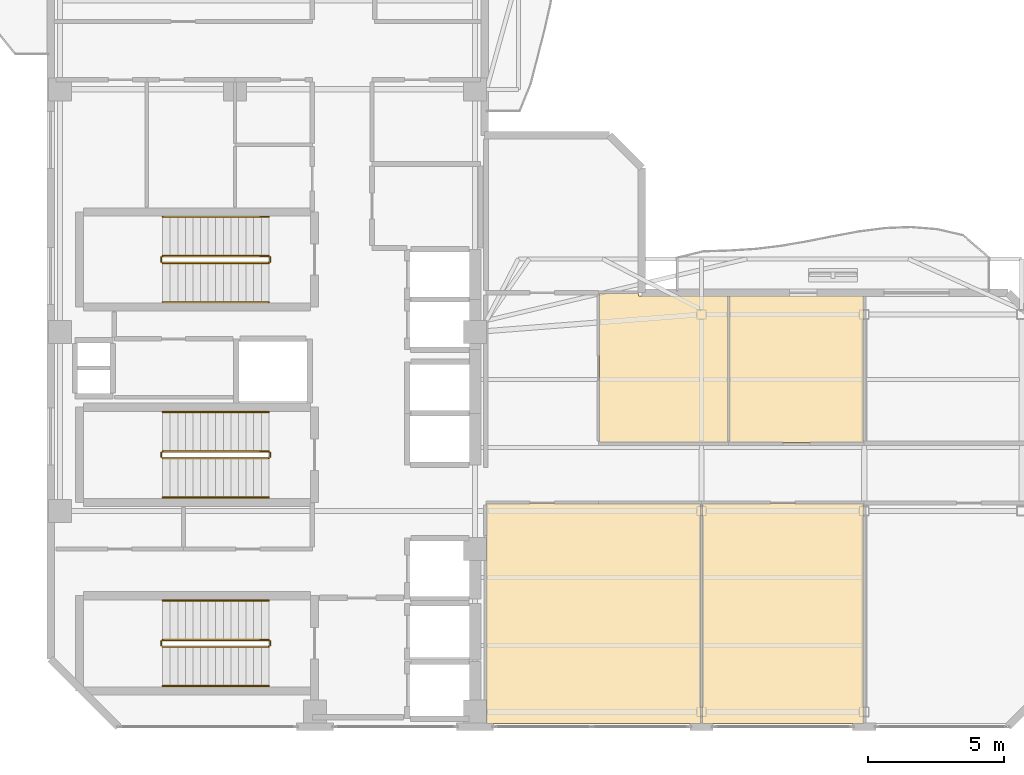
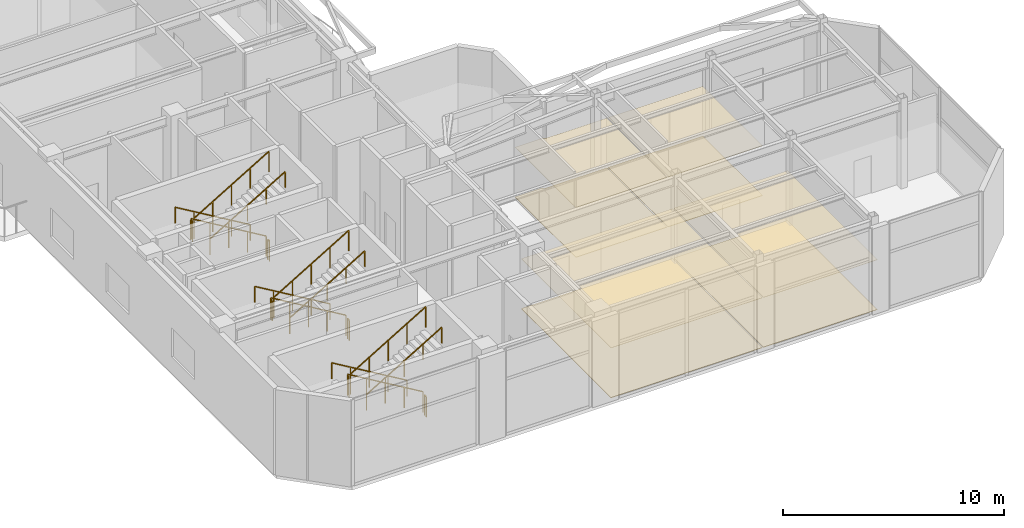
# One storey, part 14 of 15: 18 railings, 8 coverings.
"""IFC4 building model written with IfcOpenShell, lengths in metres."""

from ifc_helpers import new_model, si_unit, direction, frame, origin, origin_2d, place, context, subcontext, project, spatial, polyline, rectangle, outline, extrude, material, layer, layer_set, type_object, element, save


model = new_model("IFC4")

# Units and contexts
model_context = context("Model", 3, precision=1e-05, world=origin(), true_north=direction((0.0, 1.0)))
body_context = subcontext(model_context, "Body", "Model", "MODEL_VIEW")
ifc_project = project(units=[si_unit("LENGTHUNIT", "METRE"), si_unit("AREAUNIT", "SQUARE_METRE"), si_unit("VOLUMEUNIT", "CUBIC_METRE"), si_unit("PLANEANGLEUNIT", "RADIAN"), si_unit("MASSUNIT", "GRAM", prefix="KILO")], contexts=[model_context])

# Site, building, storey
site_placement = place(None, origin())
site = spatial("IfcSite", under=ifc_project, at=site_placement, CompositionType="ELEMENT")
building_placement = place(site_placement, origin())
building = spatial("IfcBuilding", under=site, at=building_placement, Name="Mawjaban Terraces University", CompositionType="ELEMENT")
storey_placement = place(building_placement, frame((0.0, 0.0, 306.699951171875)))
storey = spatial("IfcBuildingStorey", under=building, at=storey_placement, Name="L75", CompositionType="ELEMENT", Elevation=306.699951171875)

# Coverings
ifc_material_1 = material(Name="Acoustic mineral fibre ceiling tile", Category="masonry")
ifc_layer_1 = layer(ifc_material_1, 0.02001953125)
ifc_layer_set_1 = layer_set([ifc_layer_1], Name="Acoustic mineral fibre ceiling tile")
covering_type_1 = type_object("IfcCoveringType", Name="AcousticMineralCeiling_20", PredefinedType="CEILING", material=ifc_layer_set_1)
covering_1_placement = place(storey_placement, frame((0.0, 0.0, 2.75)))
element("IfcCovering", 1, at=covering_1_placement, inside=storey, type_object=covering_type_1, Name="L75 Public Observation Gallery South-West Acoustic Ceiling", PredefinedType="CEILING", context=body_context, shape_type="SweptSolid", body=[
    extrude(outline(polyline([(45.969970703125, 0.114990234375), (45.969970703125, 8.219970703125), (38.080078125, 8.219970703125), (38.080078125, 0.114990234375), (45.969970703125, 0.114990234375)])), origin(), (0.0, 0.0, 1.0), 0.02001953125),
])
covering_2_placement = place(storey_placement, frame((0.0, 0.0, 2.75)))
element("IfcCovering", 2, at=covering_2_placement, inside=storey, type_object=covering_type_1, Name="L75 Public Observation Gallery South-Mid Acoustic Ceiling", PredefinedType="CEILING", context=body_context, shape_type="SweptSolid", body=[
    extrude(outline(polyline([(46.030029296875, 0.114990234375), (51.969970703125, 0.114990234375), (51.969970703125, 8.219970703125), (46.030029296875, 8.219970703125), (46.030029296875, 0.114990234375)])), origin(), (0.0, 0.0, 1.0), 0.02001953125),
])
covering_3_placement = place(storey_placement, frame((0.0, 0.0, 2.75)))
element("IfcCovering", 3, at=covering_3_placement, inside=storey, type_object=covering_type_1, Name="L75 Sky Observatory Lecture Salon 1 Acoustic Ceiling", PredefinedType="CEILING", context=body_context, shape_type="SweptSolid", body=[
    extrude(outline(polyline([(46.969970703125, 15.885009765625), (43.68505859375, 15.885009765625), (43.68505859375, 15.969970703125), (42.22998046875, 15.969970703125), (42.22998046875, 10.47998046875), (46.969970703125, 10.47998046875), (46.969970703125, 15.885009765625)])), origin(), (0.0, 0.0, 1.0), 0.02001953125),
])
covering_4_placement = place(storey_placement, frame((0.0, 0.0, 2.75)))
element("IfcCovering", 4, at=covering_4_placement, inside=storey, type_object=covering_type_1, Name="L75 Sky Observatory Lecture Salon 2 Acoustic Ceiling", PredefinedType="CEILING", context=body_context, shape_type="SweptSolid", body=[
    extrude(outline(polyline([(51.969970703125, 15.885009765625), (47.030029296875, 15.885009765625), (47.030029296875, 10.47998046875), (51.969970703125, 10.47998046875), (51.969970703125, 15.885009765625)])), origin(), (0.0, 0.0, 1.0), 0.02001953125),
])

# Railings
ifc_material_2 = material(Name="Brushed stainless steel 316", Category="steel")
railing_type_1 = type_object("IfcRailingType", Name="StairWallHandrail_900", PredefinedType="HANDRAIL", material=ifc_material_2)
railing_1_placement = place(storey_placement, frame((30.050048828125, 4.64990234375, 0.166748046875)))
element("IfcRailing", 5, at=railing_1_placement, inside=storey, type_object=railing_type_1, Name="L75 ST-1 stair handrail 1", PredefinedType="HANDRAIL", context=body_context, shape_type="SweptSolid", body=[
    extrude(rectangle(XDim=0.048095703125, YDim=0.048095703125, at=origin_2d()), frame((0.0, 0.0, 0.8759765625), z_axis=(-0.859310244771, 0.0, 0.511454693235), x_axis=(0.0, -1.0, 0.0)), (0.0, 0.0, 1.0), 4.56201171875),
    extrude(rectangle(XDim=0.0419921875, YDim=0.0419921875, at=origin_2d()), origin(), (0.0, 0.0, 1.0), 0.851806640625),
    extrude(rectangle(XDim=0.0419921875, YDim=0.0419921875, at=origin_2d()), frame((-0.97998046875, 0.0, 0.583251953125)), (0.0, 0.0, 1.0), 0.851806640625),
    extrude(rectangle(XDim=0.0419921875, YDim=0.0419921875, at=origin_2d()), frame((-1.9599609375, 0.0, 1.16650390625)), (0.0, 0.0, 1.0), 0.851806640625),
    extrude(rectangle(XDim=0.0419921875, YDim=0.0419921875, at=origin_2d()), frame((-2.940185546875, 0.0, 1.75)), (0.0, 0.0, 1.0), 0.851806640625),
    extrude(rectangle(XDim=0.0419921875, YDim=0.0419921875, at=origin_2d()), frame((-3.920166015625, 0.0, 2.333251953125)), (0.0, 0.0, 1.0), 0.851806640625),
])
railing_2_placement = place(storey_placement, frame((26.1298828125, 1.5, 2.666748046875)))
element("IfcRailing", 6, at=railing_2_placement, inside=storey, type_object=railing_type_1, Name="L75 ST-1 stair handrail 2", PredefinedType="HANDRAIL", context=body_context, shape_type="SweptSolid", body=[
    extrude(rectangle(XDim=0.048095703125, YDim=0.048095703125, at=origin_2d()), frame((0.0, 0.0, 0.8759765625), z_axis=(0.859310244771, 0.0, 0.511454693235), x_axis=(0.0, 1.0, 0.0)), (0.0, 0.0, 1.0), 4.56201171875),
    extrude(rectangle(XDim=0.0419921875, YDim=0.0419921875, at=origin_2d()), origin(), (0.0, 0.0, 1.0), 0.851806640625),
    extrude(rectangle(XDim=0.0419921875, YDim=0.0419921875, at=origin_2d()), frame((0.97998046875, 0.0, 0.583251953125)), (0.0, 0.0, 1.0), 0.851806640625),
    extrude(rectangle(XDim=0.0419921875, YDim=0.0419921875, at=origin_2d()), frame((1.9599609375, 0.0, 1.16650390625)), (0.0, 0.0, 1.0), 0.851806640625),
    extrude(rectangle(XDim=0.0419921875, YDim=0.0419921875, at=origin_2d()), frame((2.940185546875, 0.0, 1.75)), (0.0, 0.0, 1.0), 0.851806640625),
    extrude(rectangle(XDim=0.0419921875, YDim=0.0419921875, at=origin_2d()), frame((3.920166015625, 0.0, 2.333251953125)), (0.0, 0.0, 1.0), 0.851806640625),
])
railing_3_placement = place(storey_placement, frame((30.050048828125, 18.800048828125, 0.166748046875)))
element("IfcRailing", 7, at=railing_3_placement, inside=storey, type_object=railing_type_1, Name="L75 ST-2 stair handrail 1", PredefinedType="HANDRAIL", context=body_context, shape_type="SweptSolid", body=[
    extrude(rectangle(XDim=0.048095703125, YDim=0.048095703125, at=origin_2d()), frame((0.0, 0.0, 0.8759765625), z_axis=(-0.859310244771, 0.0, 0.511454693235), x_axis=(0.0, -1.0, 0.0)), (0.0, 0.0, 1.0), 4.56201171875),
    extrude(rectangle(XDim=0.0419921875, YDim=0.0419921875, at=origin_2d()), origin(), (0.0, 0.0, 1.0), 0.851806640625),
    extrude(rectangle(XDim=0.0419921875, YDim=0.0419921875, at=origin_2d()), frame((-0.97998046875, 0.0, 0.583251953125)), (0.0, 0.0, 1.0), 0.851806640625),
    extrude(rectangle(XDim=0.0419921875, YDim=0.0419921875, at=origin_2d()), frame((-1.9599609375, 0.0, 1.16650390625)), (0.0, 0.0, 1.0), 0.851806640625),
    extrude(rectangle(XDim=0.0419921875, YDim=0.0419921875, at=origin_2d()), frame((-2.940185546875, 0.0, 1.75)), (0.0, 0.0, 1.0), 0.851806640625),
    extrude(rectangle(XDim=0.0419921875, YDim=0.0419921875, at=origin_2d()), frame((-3.920166015625, 0.0, 2.333251953125)), (0.0, 0.0, 1.0), 0.851806640625),
])
railing_4_placement = place(storey_placement, frame((26.1298828125, 15.64990234375, 2.666748046875)))
element("IfcRailing", 8, at=railing_4_placement, inside=storey, type_object=railing_type_1, Name="L75 ST-2 stair handrail 2", PredefinedType="HANDRAIL", context=body_context, shape_type="SweptSolid", body=[
    extrude(rectangle(XDim=0.048095703125, YDim=0.048095703125, at=origin_2d()), frame((0.0, 0.0, 0.8759765625), z_axis=(0.859310244771, 0.0, 0.511454693235), x_axis=(0.0, 1.0, 0.0)), (0.0, 0.0, 1.0), 4.56201171875),
    extrude(rectangle(XDim=0.0419921875, YDim=0.0419921875, at=origin_2d()), origin(), (0.0, 0.0, 1.0), 0.851806640625),
    extrude(rectangle(XDim=0.0419921875, YDim=0.0419921875, at=origin_2d()), frame((0.97998046875, 0.0, 0.583251953125)), (0.0, 0.0, 1.0), 0.851806640625),
    extrude(rectangle(XDim=0.0419921875, YDim=0.0419921875, at=origin_2d()), frame((1.9599609375, 0.0, 1.16650390625)), (0.0, 0.0, 1.0), 0.851806640625),
    extrude(rectangle(XDim=0.0419921875, YDim=0.0419921875, at=origin_2d()), frame((2.940185546875, 0.0, 1.75)), (0.0, 0.0, 1.0), 0.851806640625),
    extrude(rectangle(XDim=0.0419921875, YDim=0.0419921875, at=origin_2d()), frame((3.920166015625, 0.0, 2.333251953125)), (0.0, 0.0, 1.0), 0.851806640625),
])
railing_5_placement = place(storey_placement, frame((30.050048828125, 11.60009765625, 0.166748046875)))
element("IfcRailing", 9, at=railing_5_placement, inside=storey, type_object=railing_type_1, Name="L75 ST-3 stair handrail 1", PredefinedType="HANDRAIL", context=body_context, shape_type="SweptSolid", body=[
    extrude(rectangle(XDim=0.048095703125, YDim=0.048095703125, at=origin_2d()), frame((0.0, 0.0, 0.8759765625), z_axis=(-0.859310244771, 0.0, 0.511454693235), x_axis=(0.0, -1.0, 0.0)), (0.0, 0.0, 1.0), 4.56201171875),
    extrude(rectangle(XDim=0.0419921875, YDim=0.0419921875, at=origin_2d()), origin(), (0.0, 0.0, 1.0), 0.851806640625),
    extrude(rectangle(XDim=0.0419921875, YDim=0.0419921875, at=origin_2d()), frame((-0.97998046875, 0.0, 0.583251953125)), (0.0, 0.0, 1.0), 0.851806640625),
    extrude(rectangle(XDim=0.0419921875, YDim=0.0419921875, at=origin_2d()), frame((-1.9599609375, 0.0, 1.16650390625)), (0.0, 0.0, 1.0), 0.851806640625),
    extrude(rectangle(XDim=0.0419921875, YDim=0.0419921875, at=origin_2d()), frame((-2.940185546875, 0.0, 1.75)), (0.0, 0.0, 1.0), 0.851806640625),
    extrude(rectangle(XDim=0.0419921875, YDim=0.0419921875, at=origin_2d()), frame((-3.920166015625, 0.0, 2.333251953125)), (0.0, 0.0, 1.0), 0.851806640625),
])
railing_6_placement = place(storey_placement, frame((26.1298828125, 8.449951171875, 2.666748046875)))
element("IfcRailing", 10, at=railing_6_placement, inside=storey, type_object=railing_type_1, Name="L75 ST-3 stair handrail 2", PredefinedType="HANDRAIL", context=body_context, shape_type="SweptSolid", body=[
    extrude(rectangle(XDim=0.048095703125, YDim=0.048095703125, at=origin_2d()), frame((0.0, 0.0, 0.8759765625), z_axis=(0.859310244771, 0.0, 0.511454693235), x_axis=(0.0, 1.0, 0.0)), (0.0, 0.0, 1.0), 4.56201171875),
    extrude(rectangle(XDim=0.0419921875, YDim=0.0419921875, at=origin_2d()), origin(), (0.0, 0.0, 1.0), 0.851806640625),
    extrude(rectangle(XDim=0.0419921875, YDim=0.0419921875, at=origin_2d()), frame((0.97998046875, 0.0, 0.583251953125)), (0.0, 0.0, 1.0), 0.851806640625),
    extrude(rectangle(XDim=0.0419921875, YDim=0.0419921875, at=origin_2d()), frame((1.9599609375, 0.0, 1.16650390625)), (0.0, 0.0, 1.0), 0.851806640625),
    extrude(rectangle(XDim=0.0419921875, YDim=0.0419921875, at=origin_2d()), frame((2.940185546875, 0.0, 1.75)), (0.0, 0.0, 1.0), 0.851806640625),
    extrude(rectangle(XDim=0.0419921875, YDim=0.0419921875, at=origin_2d()), frame((3.920166015625, 0.0, 2.333251953125)), (0.0, 0.0, 1.0), 0.851806640625),
])
ifc_material_3 = material(Name="Galvanised painted steel S355", Category="steel")
railing_type_2 = type_object("IfcRailingType", Name="StairWellGuard_1150", PredefinedType="BALUSTRADE", material=ifc_material_3)
railing_7_placement = place(storey_placement, frame((30.050048828125, 3.199951171875, 0.166748046875)))
element("IfcRailing", 11, at=railing_7_placement, inside=storey, type_object=railing_type_2, Name="L75 ST-1 stair guard 1", PredefinedType="BALUSTRADE", context=body_context, shape_type="SweptSolid", body=[
    extrude(rectangle(XDim=0.048095703125, YDim=0.048095703125, at=origin_2d()), frame((0.0, 0.0, 1.1259765625), z_axis=(-0.859310244771, 0.0, 0.511454693235), x_axis=(0.0, -1.0, 0.0)), (0.0, 0.0, 1.0), 4.56201171875),
    extrude(rectangle(XDim=0.0419921875, YDim=0.0419921875, at=origin_2d()), origin(), (0.0, 0.0, 1.0), 1.101806640625),
    extrude(rectangle(XDim=0.0419921875, YDim=0.0419921875, at=origin_2d()), frame((-0.97998046875, 0.0, 0.583251953125)), (0.0, 0.0, 1.0), 1.101806640625),
    extrude(rectangle(XDim=0.0419921875, YDim=0.0419921875, at=origin_2d()), frame((-1.9599609375, 0.0, 1.16650390625)), (0.0, 0.0, 1.0), 1.101806640625),
    extrude(rectangle(XDim=0.0419921875, YDim=0.0419921875, at=origin_2d()), frame((-2.940185546875, 0.0, 1.75)), (0.0, 0.0, 1.0), 1.101806640625),
    extrude(rectangle(XDim=0.0419921875, YDim=0.0419921875, at=origin_2d()), frame((-3.920166015625, 0.0, 2.333251953125)), (0.0, 0.0, 1.0), 1.101806640625),
])
railing_8_placement = place(storey_placement, frame((26.080078125, 3.14990234375, 2.5)))
element("IfcRailing", 12, at=railing_8_placement, inside=storey, type_object=railing_type_2, Name="L75 ST-1 stair guard 2", PredefinedType="BALUSTRADE", context=body_context, shape_type="SweptSolid", body=[
    extrude(rectangle(XDim=0.048095703125, YDim=0.048095703125, at=origin_2d()), frame((0.0, 0.0, 1.1259765625), z_axis=(0.0, -1.0, 0.0), x_axis=(1.0, 0.0, 0.0)), (0.0, 0.0, 1.0), 0.14990234375),
    extrude(rectangle(XDim=0.0419921875, YDim=0.0419921875, at=origin_2d()), origin(), (0.0, 0.0, 1.0), 1.101806640625),
    extrude(rectangle(XDim=0.0419921875, YDim=0.0419921875, at=origin_2d()), frame((0.0, -0.14990234375, 0.0)), (0.0, 0.0, 1.0), 1.101806640625),
])
railing_9_placement = place(storey_placement, frame((26.1298828125, 2.949951171875, 2.666748046875)))
element("IfcRailing", 13, at=railing_9_placement, inside=storey, type_object=railing_type_2, Name="L75 ST-1 stair guard 3", PredefinedType="BALUSTRADE", context=body_context, shape_type="SweptSolid", body=[
    extrude(rectangle(XDim=0.048095703125, YDim=0.048095703125, at=origin_2d()), frame((0.0, 0.0, 1.1259765625), z_axis=(0.859310244771, 0.0, 0.511454693235), x_axis=(0.0, 1.0, 0.0)), (0.0, 0.0, 1.0), 4.56201171875),
    extrude(rectangle(XDim=0.0419921875, YDim=0.0419921875, at=origin_2d()), origin(), (0.0, 0.0, 1.0), 1.101806640625),
    extrude(rectangle(XDim=0.0419921875, YDim=0.0419921875, at=origin_2d()), frame((0.97998046875, 0.0, 0.583251953125)), (0.0, 0.0, 1.0), 1.101806640625),
    extrude(rectangle(XDim=0.0419921875, YDim=0.0419921875, at=origin_2d()), frame((1.9599609375, 0.0, 1.16650390625)), (0.0, 0.0, 1.0), 1.101806640625),
    extrude(rectangle(XDim=0.0419921875, YDim=0.0419921875, at=origin_2d()), frame((2.940185546875, 0.0, 1.75)), (0.0, 0.0, 1.0), 1.101806640625),
    extrude(rectangle(XDim=0.0419921875, YDim=0.0419921875, at=origin_2d()), frame((3.920166015625, 0.0, 2.333251953125)), (0.0, 0.0, 1.0), 1.101806640625),
])
railing_10_placement = place(storey_placement, frame((30.10009765625, 3.14990234375, 0.0)))
element("IfcRailing", 14, at=railing_10_placement, inside=storey, type_object=railing_type_2, Name="L75 ST-1 stair guard 4", PredefinedType="BALUSTRADE", context=body_context, shape_type="SweptSolid", body=[
    extrude(rectangle(XDim=0.048095703125, YDim=0.048095703125, at=origin_2d()), frame((0.0, 0.0, 1.1259765625), z_axis=(0.0, -1.0, 0.0), x_axis=(1.0, 0.0, 0.0)), (0.0, 0.0, 1.0), 0.14990234375),
    extrude(rectangle(XDim=0.0419921875, YDim=0.0419921875, at=origin_2d()), origin(), (0.0, 0.0, 1.0), 1.101806640625),
    extrude(rectangle(XDim=0.0419921875, YDim=0.0419921875, at=origin_2d()), frame((0.0, -0.14990234375, 0.0)), (0.0, 0.0, 1.0), 1.101806640625),
])
railing_11_placement = place(storey_placement, frame((30.050048828125, 17.35009765625, 0.166748046875)))
element("IfcRailing", 15, at=railing_11_placement, inside=storey, type_object=railing_type_2, Name="L75 ST-2 stair guard 1", PredefinedType="BALUSTRADE", context=body_context, shape_type="SweptSolid", body=[
    extrude(rectangle(XDim=0.048095703125, YDim=0.048095703125, at=origin_2d()), frame((0.0, 0.0, 1.1259765625), z_axis=(-0.859310244771, 0.0, 0.511454693235), x_axis=(0.0, -1.0, 0.0)), (0.0, 0.0, 1.0), 4.56201171875),
    extrude(rectangle(XDim=0.0419921875, YDim=0.0419921875, at=origin_2d()), origin(), (0.0, 0.0, 1.0), 1.101806640625),
    extrude(rectangle(XDim=0.0419921875, YDim=0.0419921875, at=origin_2d()), frame((-0.97998046875, 0.0, 0.583251953125)), (0.0, 0.0, 1.0), 1.101806640625),
    extrude(rectangle(XDim=0.0419921875, YDim=0.0419921875, at=origin_2d()), frame((-1.9599609375, 0.0, 1.16650390625)), (0.0, 0.0, 1.0), 1.101806640625),
    extrude(rectangle(XDim=0.0419921875, YDim=0.0419921875, at=origin_2d()), frame((-2.940185546875, 0.0, 1.75)), (0.0, 0.0, 1.0), 1.101806640625),
    extrude(rectangle(XDim=0.0419921875, YDim=0.0419921875, at=origin_2d()), frame((-3.920166015625, 0.0, 2.333251953125)), (0.0, 0.0, 1.0), 1.101806640625),
])
railing_12_placement = place(storey_placement, frame((26.080078125, 17.300048828125, 2.5)))
element("IfcRailing", 16, at=railing_12_placement, inside=storey, type_object=railing_type_2, Name="L75 ST-2 stair guard 2", PredefinedType="BALUSTRADE", context=body_context, shape_type="SweptSolid", body=[
    extrude(rectangle(XDim=0.048095703125, YDim=0.048095703125, at=origin_2d()), frame((0.0, 0.0, 1.1259765625), z_axis=(0.0, -1.0, 0.0), x_axis=(1.0, 0.0, 0.0)), (0.0, 0.0, 1.0), 0.150146484375),
    extrude(rectangle(XDim=0.0419921875, YDim=0.0419921875, at=origin_2d()), origin(), (0.0, 0.0, 1.0), 1.101806640625),
    extrude(rectangle(XDim=0.0419921875, YDim=0.0419921875, at=origin_2d()), frame((0.0, -0.150146484375, 0.0)), (0.0, 0.0, 1.0), 1.101806640625),
])
railing_13_placement = place(storey_placement, frame((26.1298828125, 17.10009765625, 2.666748046875)))
element("IfcRailing", 17, at=railing_13_placement, inside=storey, type_object=railing_type_2, Name="L75 ST-2 stair guard 3", PredefinedType="BALUSTRADE", context=body_context, shape_type="SweptSolid", body=[
    extrude(rectangle(XDim=0.048095703125, YDim=0.048095703125, at=origin_2d()), frame((0.0, 0.0, 1.1259765625), z_axis=(0.859310244771, 0.0, 0.511454693235), x_axis=(0.0, 1.0, 0.0)), (0.0, 0.0, 1.0), 4.56201171875),
    extrude(rectangle(XDim=0.0419921875, YDim=0.0419921875, at=origin_2d()), origin(), (0.0, 0.0, 1.0), 1.101806640625),
    extrude(rectangle(XDim=0.0419921875, YDim=0.0419921875, at=origin_2d()), frame((0.97998046875, 0.0, 0.583251953125)), (0.0, 0.0, 1.0), 1.101806640625),
    extrude(rectangle(XDim=0.0419921875, YDim=0.0419921875, at=origin_2d()), frame((1.9599609375, 0.0, 1.16650390625)), (0.0, 0.0, 1.0), 1.101806640625),
    extrude(rectangle(XDim=0.0419921875, YDim=0.0419921875, at=origin_2d()), frame((2.940185546875, 0.0, 1.75)), (0.0, 0.0, 1.0), 1.101806640625),
    extrude(rectangle(XDim=0.0419921875, YDim=0.0419921875, at=origin_2d()), frame((3.920166015625, 0.0, 2.333251953125)), (0.0, 0.0, 1.0), 1.101806640625),
])
railing_14_placement = place(storey_placement, frame((30.10009765625, 17.300048828125, 0.0)))
element("IfcRailing", 18, at=railing_14_placement, inside=storey, type_object=railing_type_2, Name="L75 ST-2 stair guard 4", PredefinedType="BALUSTRADE", context=body_context, shape_type="SweptSolid", body=[
    extrude(rectangle(XDim=0.048095703125, YDim=0.048095703125, at=origin_2d()), frame((0.0, 0.0, 1.1259765625), z_axis=(0.0, -1.0, 0.0), x_axis=(1.0, 0.0, 0.0)), (0.0, 0.0, 1.0), 0.150146484375),
    extrude(rectangle(XDim=0.0419921875, YDim=0.0419921875, at=origin_2d()), origin(), (0.0, 0.0, 1.0), 1.101806640625),
    extrude(rectangle(XDim=0.0419921875, YDim=0.0419921875, at=origin_2d()), frame((0.0, -0.150146484375, 0.0)), (0.0, 0.0, 1.0), 1.101806640625),
])
railing_15_placement = place(storey_placement, frame((30.050048828125, 10.14990234375, 0.166748046875)))
element("IfcRailing", 19, at=railing_15_placement, inside=storey, type_object=railing_type_2, Name="L75 ST-3 stair guard 1", PredefinedType="BALUSTRADE", context=body_context, shape_type="SweptSolid", body=[
    extrude(rectangle(XDim=0.048095703125, YDim=0.048095703125, at=origin_2d()), frame((0.0, 0.0, 1.1259765625), z_axis=(-0.859310244771, 0.0, 0.511454693235), x_axis=(0.0, -1.0, 0.0)), (0.0, 0.0, 1.0), 4.56201171875),
    extrude(rectangle(XDim=0.0419921875, YDim=0.0419921875, at=origin_2d()), origin(), (0.0, 0.0, 1.0), 1.101806640625),
    extrude(rectangle(XDim=0.0419921875, YDim=0.0419921875, at=origin_2d()), frame((-0.97998046875, 0.0, 0.583251953125)), (0.0, 0.0, 1.0), 1.101806640625),
    extrude(rectangle(XDim=0.0419921875, YDim=0.0419921875, at=origin_2d()), frame((-1.9599609375, 0.0, 1.16650390625)), (0.0, 0.0, 1.0), 1.101806640625),
    extrude(rectangle(XDim=0.0419921875, YDim=0.0419921875, at=origin_2d()), frame((-2.940185546875, 0.0, 1.75)), (0.0, 0.0, 1.0), 1.101806640625),
    extrude(rectangle(XDim=0.0419921875, YDim=0.0419921875, at=origin_2d()), frame((-3.920166015625, 0.0, 2.333251953125)), (0.0, 0.0, 1.0), 1.101806640625),
])
railing_16_placement = place(storey_placement, frame((26.080078125, 10.10009765625, 2.5)))
element("IfcRailing", 20, at=railing_16_placement, inside=storey, type_object=railing_type_2, Name="L75 ST-3 stair guard 2", PredefinedType="BALUSTRADE", context=body_context, shape_type="SweptSolid", body=[
    extrude(rectangle(XDim=0.048095703125, YDim=0.048095703125, at=origin_2d()), frame((0.0, 0.0, 1.1259765625), z_axis=(0.0, -1.0, 0.0), x_axis=(1.0, 0.0, 0.0)), (0.0, 0.0, 1.0), 0.150146484375),
    extrude(rectangle(XDim=0.0419921875, YDim=0.0419921875, at=origin_2d()), origin(), (0.0, 0.0, 1.0), 1.101806640625),
    extrude(rectangle(XDim=0.0419921875, YDim=0.0419921875, at=origin_2d()), frame((0.0, -0.150146484375, 0.0)), (0.0, 0.0, 1.0), 1.101806640625),
])
railing_17_placement = place(storey_placement, frame((26.1298828125, 9.89990234375, 2.666748046875)))
element("IfcRailing", 21, at=railing_17_placement, inside=storey, type_object=railing_type_2, Name="L75 ST-3 stair guard 3", PredefinedType="BALUSTRADE", context=body_context, shape_type="SweptSolid", body=[
    extrude(rectangle(XDim=0.048095703125, YDim=0.048095703125, at=origin_2d()), frame((0.0, 0.0, 1.1259765625), z_axis=(0.859310244771, 0.0, 0.511454693235), x_axis=(0.0, 1.0, 0.0)), (0.0, 0.0, 1.0), 4.56201171875),
    extrude(rectangle(XDim=0.0419921875, YDim=0.0419921875, at=origin_2d()), origin(), (0.0, 0.0, 1.0), 1.101806640625),
    extrude(rectangle(XDim=0.0419921875, YDim=0.0419921875, at=origin_2d()), frame((0.97998046875, 0.0, 0.583251953125)), (0.0, 0.0, 1.0), 1.101806640625),
    extrude(rectangle(XDim=0.0419921875, YDim=0.0419921875, at=origin_2d()), frame((1.9599609375, 0.0, 1.16650390625)), (0.0, 0.0, 1.0), 1.101806640625),
    extrude(rectangle(XDim=0.0419921875, YDim=0.0419921875, at=origin_2d()), frame((2.940185546875, 0.0, 1.75)), (0.0, 0.0, 1.0), 1.101806640625),
    extrude(rectangle(XDim=0.0419921875, YDim=0.0419921875, at=origin_2d()), frame((3.920166015625, 0.0, 2.333251953125)), (0.0, 0.0, 1.0), 1.101806640625),
])
railing_18_placement = place(storey_placement, frame((30.10009765625, 10.10009765625, 0.0)))
element("IfcRailing", 22, at=railing_18_placement, inside=storey, type_object=railing_type_2, Name="L75 ST-3 stair guard 4", PredefinedType="BALUSTRADE", context=body_context, shape_type="SweptSolid", body=[
    extrude(rectangle(XDim=0.048095703125, YDim=0.048095703125, at=origin_2d()), frame((0.0, 0.0, 1.1259765625), z_axis=(0.0, -1.0, 0.0), x_axis=(1.0, 0.0, 0.0)), (0.0, 0.0, 1.0), 0.150146484375),
    extrude(rectangle(XDim=0.0419921875, YDim=0.0419921875, at=origin_2d()), origin(), (0.0, 0.0, 1.0), 1.101806640625),
    extrude(rectangle(XDim=0.0419921875, YDim=0.0419921875, at=origin_2d()), frame((0.0, -0.150146484375, 0.0)), (0.0, 0.0, 1.0), 1.101806640625),
])

# Coverings
ifc_material_4 = material(Name="Polished Hijazi granite terrazzo flooring", Category="masonry")
ifc_layer_2 = layer(ifc_material_4, 0.02490234375)
ifc_layer_set_2 = layer_set([ifc_layer_2], Name="Polished Hijazi granite terrazzo flooring")
covering_type_2 = type_object("IfcCoveringType", Name="TerrazzoConcourseFlooring_25", PredefinedType="FLOORING", material=ifc_layer_set_2)
covering_5_placement = place(storey_placement, origin())
element("IfcCovering", 23, at=covering_5_placement, inside=storey, type_object=covering_type_2, Name="L75 Public Observation Gallery South-West Terrazzo Flooring", PredefinedType="FLOORING", context=body_context, shape_type="SweptSolid", body=[
    extrude(outline(polyline([(45.969970703125, 0.114990234375), (45.969970703125, 8.219970703125), (38.080078125, 8.219970703125), (38.080078125, 0.114990234375), (45.969970703125, 0.114990234375)])), origin(), (0.0, 0.0, 1.0), 0.025146484375),
])
covering_6_placement = place(storey_placement, origin())
element("IfcCovering", 24, at=covering_6_placement, inside=storey, type_object=covering_type_2, Name="L75 Public Observation Gallery South-Mid Terrazzo Flooring", PredefinedType="FLOORING", context=body_context, shape_type="SweptSolid", body=[
    extrude(outline(polyline([(46.030029296875, 0.114990234375), (51.969970703125, 0.114990234375), (51.969970703125, 8.219970703125), (46.030029296875, 8.219970703125), (46.030029296875, 0.114990234375)])), origin(), (0.0, 0.0, 1.0), 0.025146484375),
])
covering_7_placement = place(storey_placement, origin())
element("IfcCovering", 25, at=covering_7_placement, inside=storey, type_object=covering_type_2, Name="L75 Sky Observatory Lecture Salon 1 Terrazzo Flooring", PredefinedType="FLOORING", context=body_context, shape_type="SweptSolid", body=[
    extrude(outline(polyline([(46.969970703125, 15.885009765625), (43.68505859375, 15.885009765625), (43.68505859375, 15.969970703125), (42.22998046875, 15.969970703125), (42.22998046875, 10.47998046875), (46.969970703125, 10.47998046875), (46.969970703125, 15.885009765625)])), origin(), (0.0, 0.0, 1.0), 0.025146484375),
])
covering_8_placement = place(storey_placement, origin())
element("IfcCovering", 26, at=covering_8_placement, inside=storey, type_object=covering_type_2, Name="L75 Sky Observatory Lecture Salon 2 Terrazzo Flooring", PredefinedType="FLOORING", context=body_context, shape_type="SweptSolid", body=[
    extrude(outline(polyline([(51.969970703125, 15.885009765625), (47.030029296875, 15.885009765625), (47.030029296875, 10.47998046875), (51.969970703125, 10.47998046875), (51.969970703125, 15.885009765625)])), origin(), (0.0, 0.0, 1.0), 0.025146484375),
])

save(model, "model.ifc")
